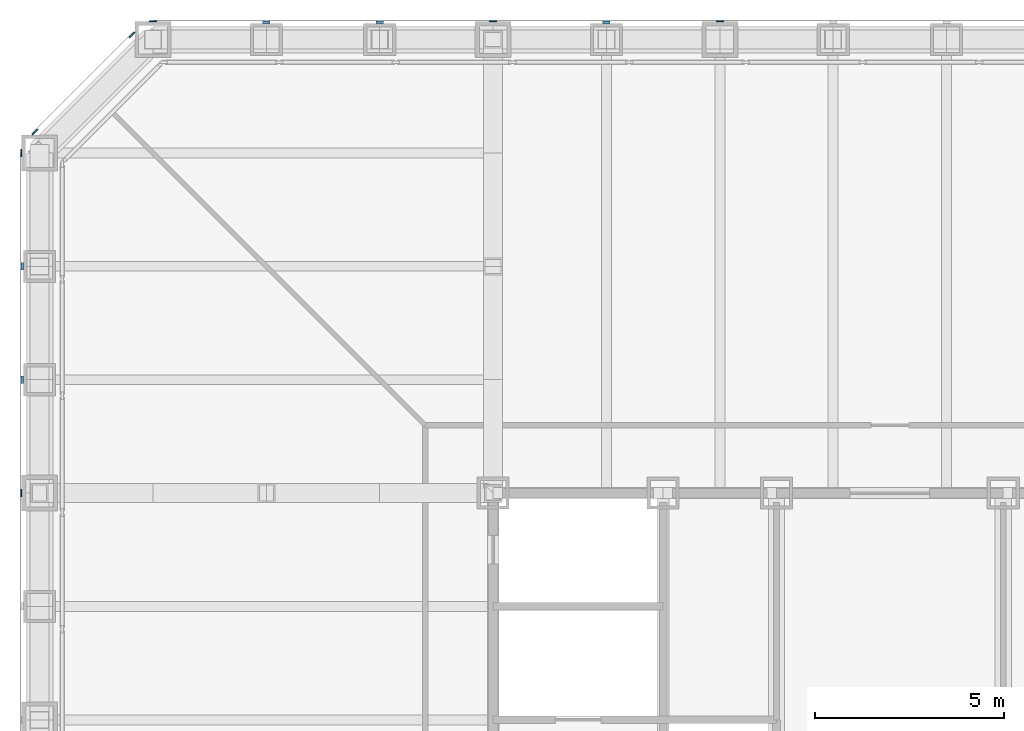
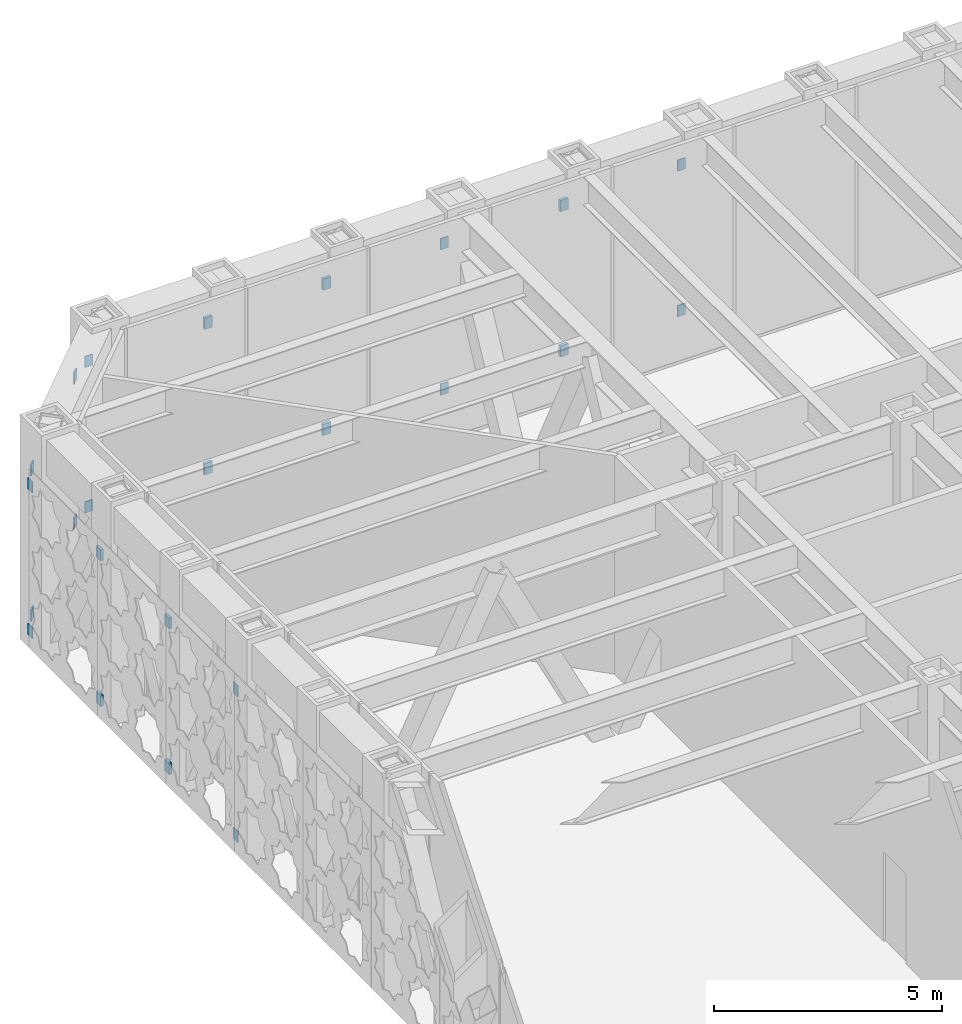
# One storey, part 18 of 31: 24 discrete accessories.
"""IFC4 building model written with IfcOpenShell, lengths in metres."""

from ifc_helpers import new_model, si_unit, direction, frame, origin, origin_2d, place, context, subcontext, project, spatial, rectangle, extrude, material, type_object, element, save


model = new_model("IFC4")

# Units and contexts
model_context = context("Model", 3, precision=1e-05, world=origin(), true_north=direction((0.0, 1.0)))
body_context = subcontext(model_context, "Body", "Model", "MODEL_VIEW")
ifc_project = project(units=[si_unit("LENGTHUNIT", "METRE"), si_unit("AREAUNIT", "SQUARE_METRE"), si_unit("VOLUMEUNIT", "CUBIC_METRE"), si_unit("PLANEANGLEUNIT", "RADIAN"), si_unit("MASSUNIT", "GRAM", prefix="KILO")], contexts=[model_context])

# Site, building, storey
site_placement = place(None, origin())
site = spatial("IfcSite", under=ifc_project, at=site_placement, CompositionType="ELEMENT")
building_placement = place(site_placement, origin())
building = spatial("IfcBuilding", under=site, at=building_placement, Name="Chuquiago Exchange Tower", CompositionType="ELEMENT")
storey_placement = place(building_placement, frame((0.0, 0.0, 96.300048828125)))
storey = spatial("IfcBuildingStorey", under=building, at=storey_placement, Name="L20", CompositionType="ELEMENT", Elevation=96.300048828125)

# Discrete accessories
ifc_material_1 = material(Name="Stainless steel plate bracket", Category="steel")
discrete_accessory_type_1 = type_object("IfcDiscreteAccessoryType", Name="GB4 cladding bracket 75", PredefinedType="BRACKET", material=ifc_material_1)
for number, where, z_axis, x_axis, name in (
    (1, (15.0, 45.46240234375, 0.35009765625), (0.0, 0.0, 1.0), (-1.0, 0.0, 0.0), "Cladding bracket L20 N"),
    (2, (15.0, 45.46240234375, 4.23974609375), (0.0, 0.0, 1.0), (-1.0, 0.0, 0.0), "Cladding bracket L20 N"),
    (3, (9.0, 45.46240234375, 0.35009765625), (0.0, 0.0, 1.0), (-1.0, 0.0, 0.0), "Cladding bracket L20 N"),
    (4, (9.0, 45.46240234375, 4.23974609375), (0.0, 0.0, 1.0), (-1.0, 0.0, 0.0), "Cladding bracket L20 N"),
    (5, (6.0, 45.46240234375, 0.35009765625), (0.0, 0.0, 1.0), (-1.0, 0.0, 0.0), "Cladding bracket L20 N"),
    (6, (6.0, 45.46240234375, 4.23974609375), (0.0, 0.0, 1.0), (-1.0, 0.0, 0.0), "Cladding bracket L20 N"),
    (7, (-0.46240234375, 39.0, 0.35009765625), (0.0, 0.0, 1.0), (0.0, -1.0, 0.0), "Cladding bracket L20 W"),
    (8, (-0.46240234375, 39.0, 4.23974609375), (0.0, 0.0, 1.0), (0.0, -1.0, 0.0), "Cladding bracket L20 W"),
    (9, (-0.46240234375, 36.0, 0.35009765625), (0.0, 0.0, 1.0), (0.0, -1.0, 0.0), "Cladding bracket L20 W"),
    (10, (-0.46240234375, 36.0, 4.23974609375), (0.0, 0.0, 1.0), (0.0, -1.0, 0.0), "Cladding bracket L20 W"),
):
    element("IfcDiscreteAccessory", number, at=place(storey_placement, frame(where, z_axis=z_axis, x_axis=x_axis)), inside=storey, type_object=discrete_accessory_type_1, Name=name, PredefinedType="BRACKET", context=body_context, shape_type="SweptSolid", body=[
        extrude(rectangle(XDim=0.199951171875, YDim=0.074951171875, at=origin_2d()), origin(), (0.0, 0.0, 1.0), 0.300048828125),
    ])
ifc_material_2 = material(Name="Stainless steel plate bracket", Category="steel")
discrete_accessory_type_2 = type_object("IfcDiscreteAccessoryType", Name="GB6 cladding bracket 35", PredefinedType="BRACKET", material=ifc_material_2)
for number, where, z_axis, x_axis, name in (
    (11, (2.44189453125, 45.123779296875, 0.35009765625), (0.0, 0.0, 1.0), (-0.707106781187, -0.707106781187, 0.0), "Cladding bracket L20 NW"),
    (12, (2.44189453125, 45.123779296875, 4.23974609375), (0.0, 0.0, 1.0), (-0.707106781187, -0.707106781187, 0.0), "Cladding bracket L20 NW"),
    (13, (-0.123779296875, 42.55810546875, 0.35009765625), (0.0, 0.0, 1.0), (-0.707106781187, -0.707106781187, 0.0), "Cladding bracket L20 NW"),
    (14, (-0.123779296875, 42.55810546875, 4.23974609375), (0.0, 0.0, 1.0), (-0.707106781187, -0.707106781187, 0.0), "Cladding bracket L20 NW"),
):
    element("IfcDiscreteAccessory", number, at=place(storey_placement, frame(where, z_axis=z_axis, x_axis=x_axis)), inside=storey, type_object=discrete_accessory_type_2, Name=name, PredefinedType="BRACKET", context=body_context, shape_type="SweptSolid", body=[
        extrude(rectangle(XDim=0.199951171875, YDim=0.035400390625, at=origin_2d()), origin(), (0.0, 0.0, 1.0), 0.300048828125),
    ])
ifc_material_3 = material(Name="Stainless steel plate bracket", Category="steel")
discrete_accessory_type_3 = type_object("IfcDiscreteAccessoryType", Name="GB7 cladding bracket 25", PredefinedType="BRACKET", material=ifc_material_3)
for number, where, z_axis, x_axis, name in (
    (15, (18.0, 45.487548828125, 0.35009765625), (0.0, 0.0, 1.0), (-1.0, 0.0, 0.0), "Cladding bracket L20 N"),
    (16, (18.0, 45.487548828125, 4.23974609375), (0.0, 0.0, 1.0), (-1.0, 0.0, 0.0), "Cladding bracket L20 N"),
    (17, (12.0, 45.487548828125, 0.35009765625), (0.0, 0.0, 1.0), (-1.0, 0.0, 0.0), "Cladding bracket L20 N"),
    (18, (12.0, 45.487548828125, 4.23974609375), (0.0, 0.0, 1.0), (-1.0, 0.0, 0.0), "Cladding bracket L20 N"),
    (19, (3.0, 45.487548828125, 0.35009765625), (0.0, 0.0, 1.0), (-1.0, 0.0, 0.0), "Cladding bracket L20 N"),
    (20, (3.0, 45.487548828125, 4.23974609375), (0.0, 0.0, 1.0), (-1.0, 0.0, 0.0), "Cladding bracket L20 N"),
    (21, (-0.487548828125, 42.0, 0.35009765625), (0.0, 0.0, 1.0), (0.0, -1.0, 0.0), "Cladding bracket L20 W"),
    (22, (-0.487548828125, 42.0, 4.23974609375), (0.0, 0.0, 1.0), (0.0, -1.0, 0.0), "Cladding bracket L20 W"),
    (23, (-0.487548828125, 33.0, 0.35009765625), (0.0, 0.0, 1.0), (0.0, -1.0, 0.0), "Cladding bracket L20 W"),
    (24, (-0.487548828125, 33.0, 4.23974609375), (0.0, 0.0, 1.0), (0.0, -1.0, 0.0), "Cladding bracket L20 W"),
):
    element("IfcDiscreteAccessory", number, at=place(storey_placement, frame(where, z_axis=z_axis, x_axis=x_axis)), inside=storey, type_object=discrete_accessory_type_3, Name=name, PredefinedType="BRACKET", context=body_context, shape_type="SweptSolid", body=[
        extrude(rectangle(XDim=0.199951171875, YDim=0.02490234375, at=origin_2d()), origin(), (0.0, 0.0, 1.0), 0.300048828125),
    ])

save(model, "model.ifc")
